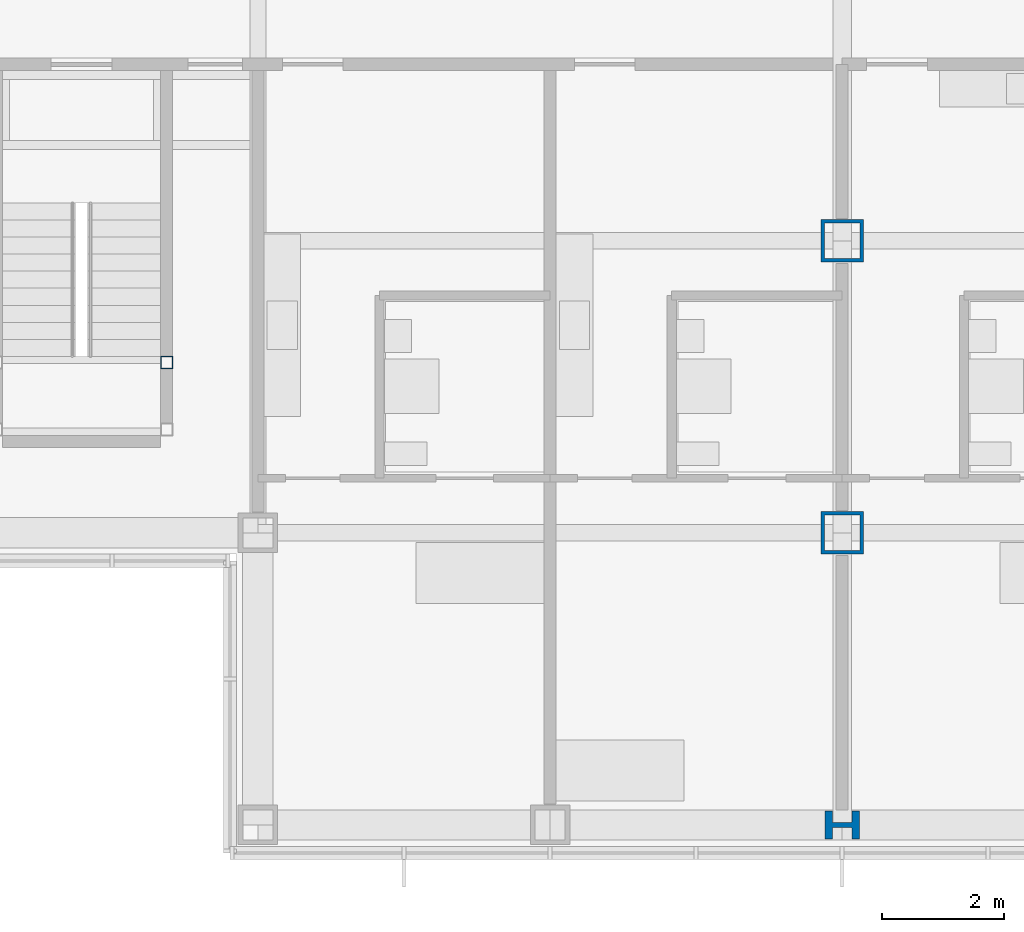
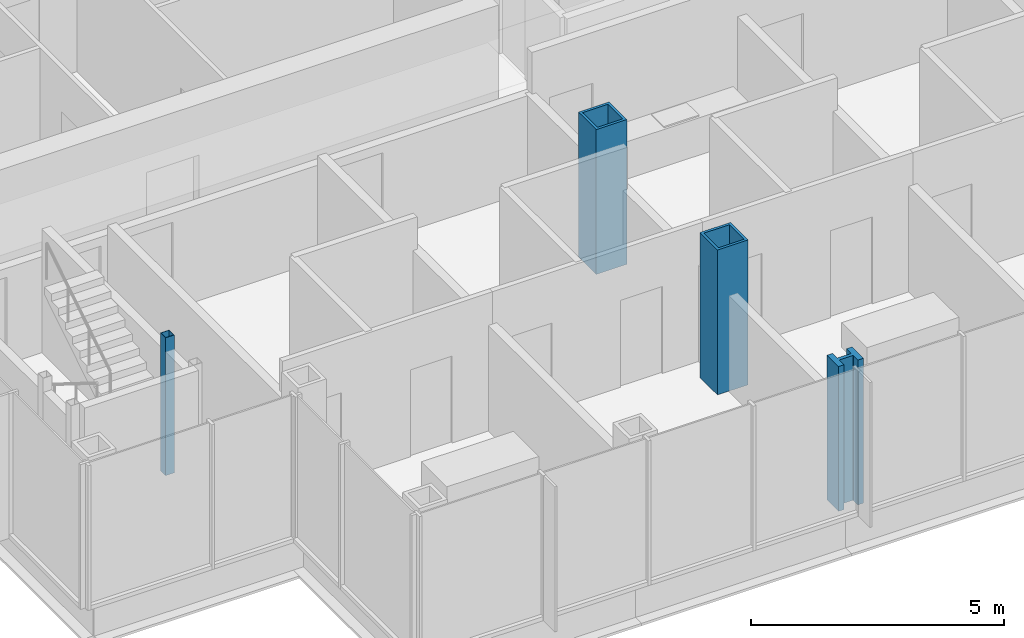
# One storey, part 2 of 20: 4 columns.
"""IFC4 building model written with IfcOpenShell, lengths in metres."""

from ifc_helpers import new_model, si_unit, direction, frame, origin, origin_2d, place, context, subcontext, project, spatial, hollow_rectangle, i_section, extrude, material, material_profile, profile_set, type_object, element, save


model = new_model("IFC4")

# Units and contexts
model_context = context("Model", 3, precision=1e-05, world=origin(), true_north=direction((0.0, 1.0)))
body_context = subcontext(model_context, "Body", "Model", "MODEL_VIEW")
ifc_project = project(units=[si_unit("LENGTHUNIT", "METRE"), si_unit("AREAUNIT", "SQUARE_METRE"), si_unit("VOLUMEUNIT", "CUBIC_METRE"), si_unit("PLANEANGLEUNIT", "RADIAN"), si_unit("MASSUNIT", "GRAM", prefix="KILO")], contexts=[model_context])

# Site, building, storey
site_placement = place(None, origin())
site = spatial("IfcSite", under=ifc_project, at=site_placement, CompositionType="ELEMENT")
building_placement = place(site_placement, origin())
building = spatial("IfcBuilding", under=site, at=building_placement, Name="Kvirike Care Tower", CompositionType="ELEMENT")
storey_placement = place(building_placement, frame((0.0, 0.0, 91.0)))
storey = spatial("IfcBuildingStorey", under=building, at=storey_placement, Name="L24", CompositionType="ELEMENT", Elevation=91.0)

# Columns
ifc_material_1 = material(Name="Steel S460", Category="steel")
ifc_material_profile_1 = material_profile(ifc_material_1, hollow_rectangle(XDim=0.699951171875, YDim=0.699951171875, WallThickness=0.06005859375, at=origin_2d()), Name="BX 700x700x60")
ifc_profile_set_1 = profile_set([ifc_material_profile_1], Name="Steel S460")
column_type_1 = type_object("IfcColumnType", Name="COLUMN BX 700x700x60", PredefinedType="COLUMN", material=ifc_profile_set_1)
for number, where, z_axis, x_axis, name in (
    (1, (28.800048828125, 19.199951171875, 0.0), (0.0, 0.0, 1.0), (1.0, 0.0, 0.0), "Column E9 L24"),
    (2, (28.800048828125, 24.0, 0.0), (0.0, 0.0, 1.0), (1.0, 0.0, 0.0), "Column F9 L24"),
):
    element("IfcColumn", number, at=place(storey_placement, frame(where, z_axis=z_axis, x_axis=x_axis)), inside=storey, type_object=column_type_1, Name=name, PredefinedType="COLUMN", context=body_context, shape_type="SweptSolid", body=[
        extrude(hollow_rectangle(XDim=0.699951171875, YDim=0.699951171875, WallThickness=0.06005859375, at=origin_2d()), origin(), (0.0, 0.0, 1.0), 3.5),
    ])
ifc_material_2 = material(Name="Steel S460", Category="steel")
ifc_material_profile_2 = material_profile(ifc_material_2, i_section(OverallWidth=0.4541015625, OverallDepth=0.569091796875, WebThickness=0.077880859375, FlangeThickness=0.125, FilletRadius=0.014892578125, at=origin_2d()), Name="HD 400x1086")
ifc_profile_set_2 = profile_set([ifc_material_profile_2], Name="Steel S460")
column_type_2 = type_object("IfcColumnType", Name="COLUMN HD 400x1086", PredefinedType="COLUMN", material=ifc_profile_set_2)
column_1_placement = place(storey_placement, frame((28.800048828125, 14.39990234375, 0.0), z_axis=(0.0, 0.0, 1.0), x_axis=(0.0, 1.0, 0.0)))
element("IfcColumn", 3, at=column_1_placement, inside=storey, type_object=column_type_2, Name="Column D9 L24", PredefinedType="COLUMN", context=body_context, shape_type="SweptSolid", body=[
    extrude(i_section(OverallWidth=0.4541015625, OverallDepth=0.569091796875, WebThickness=0.077880859375, FlangeThickness=0.125, FilletRadius=0.014892578125, at=origin_2d()), origin(), (0.0, 0.0, 1.0), 3.5),
])
ifc_material_3 = material(Name="Steel S460", Category="steel")
ifc_material_profile_3 = material_profile(ifc_material_3, hollow_rectangle(XDim=0.199951171875, YDim=0.199951171875, WallThickness=0.008056640625, at=origin_2d()), Name="SHS 200x200x8")
ifc_profile_set_3 = profile_set([ifc_material_profile_3], Name="Steel S460")
column_type_3 = type_object("IfcColumnType", Name="STAIR POST SHS 200x200x8", PredefinedType="COLUMN", material=ifc_profile_set_3)
column_2_placement = place(storey_placement, frame((17.699951171875, 22.0, 0.0), z_axis=(0.0, 0.0, 1.0), x_axis=(1.0, 0.0, 0.0)))
element("IfcColumn", 4, at=column_2_placement, inside=storey, type_object=column_type_3, Name="Stair 5 post 4 L24", PredefinedType="COLUMN", context=body_context, shape_type="SweptSolid", body=[
    extrude(hollow_rectangle(XDim=0.199951171875, YDim=0.199951171875, WallThickness=0.008056640625, at=origin_2d()), origin(), (0.0, 0.0, 1.0), 3.330078125),
])

save(model, "model.ifc")
